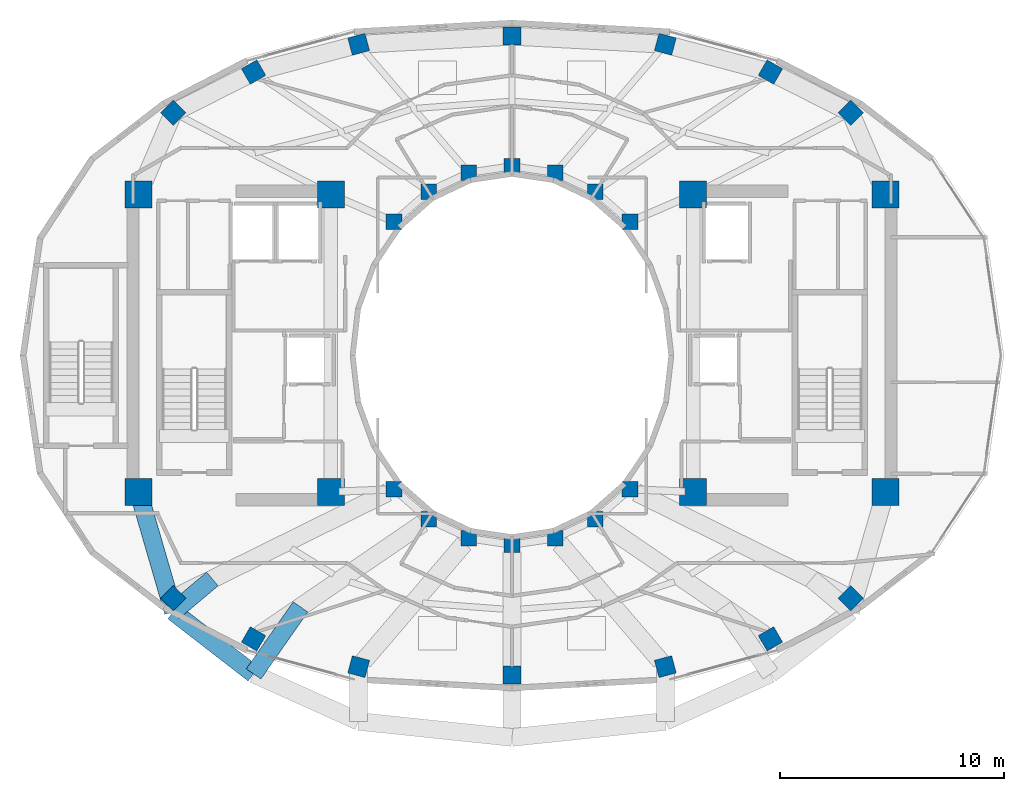
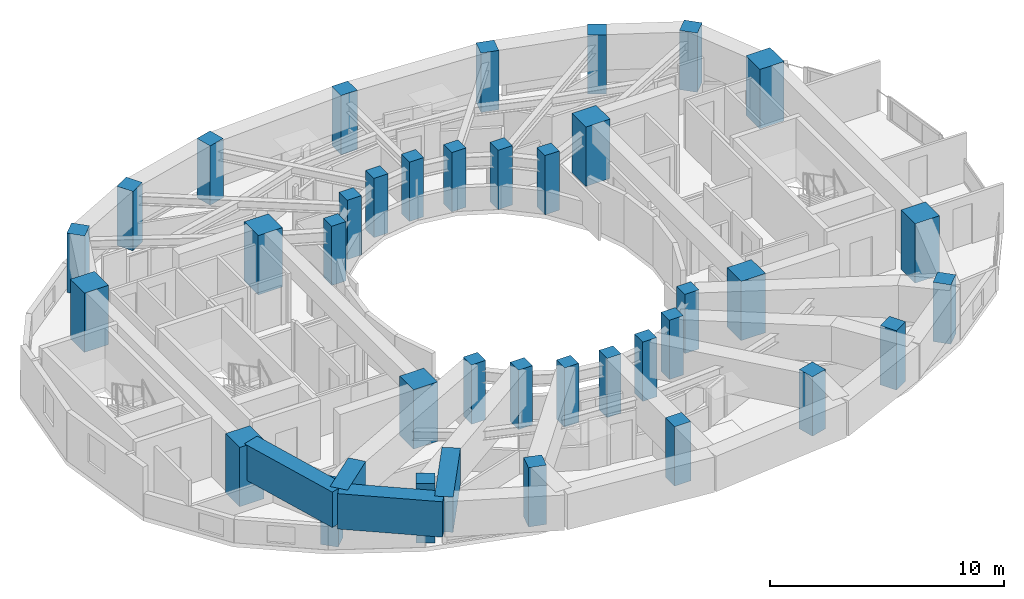
# One storey, part 1 of 19: 36 columns, 4 beams.
"""IFC4 building model written with IfcOpenShell, lengths in metres."""

from ifc_helpers import new_model, si_unit, direction, frame, origin, origin_2d, place, context, subcontext, project, spatial, rectangle, extrude, material, material_profile, profile_set, type_object, element, save


model = new_model("IFC4")

# Units and contexts
model_context = context("Model", 3, precision=1e-05, world=origin(), true_north=direction((0.0, 1.0)))
body_context = subcontext(model_context, "Body", "Model", "MODEL_VIEW")
ifc_project = project(units=[si_unit("LENGTHUNIT", "METRE"), si_unit("AREAUNIT", "SQUARE_METRE"), si_unit("VOLUMEUNIT", "CUBIC_METRE"), si_unit("PLANEANGLEUNIT", "RADIAN"), si_unit("MASSUNIT", "GRAM", prefix="KILO")], contexts=[model_context])

# Site, building, storey
site_placement = place(None, origin())
site = spatial("IfcSite", under=ifc_project, at=site_placement, CompositionType="ELEMENT")
building_placement = place(site_placement, origin())
building = spatial("IfcBuilding", under=site, at=building_placement, Name="Solvane Sanctuary Tower", CompositionType="ELEMENT")
storey_placement = place(building_placement, frame((0.0, 0.0, 207.800048828125)))
storey = spatial("IfcBuildingStorey", under=building, at=storey_placement, Name="L63", CompositionType="ELEMENT", Elevation=207.800048828125)

# Columns
ifc_material_1 = material(Name="Concrete C50/60", Category="concrete")
ifc_material_profile_1 = material_profile(ifc_material_1, rectangle(XDim=0.699951171875, YDim=0.699951171875, at=origin_2d()), Name="RC700X700")
ifc_profile_set_1 = profile_set([ifc_material_profile_1], Name="Concrete C50/60")
column_type_1 = type_object("IfcColumnType", Name="Column C-RING-Z4 RC700X700", PredefinedType="COLUMN", material=ifc_profile_set_1)
for number, where, z_axis, x_axis, name in (
    (1, (37.27490234375, 28.982177734375, 0.0), (0.0, 0.0, 1.0), (1.0, 0.0, 0.0), "L63 Inner Light-Well Ring Column IC01"),
    (2, (35.72998046875, 30.32666015625, 0.0), (0.0, 0.0, 1.0), (1.0, 0.0, 0.0), "L63 Inner Light-Well Ring Column IC02"),
    (3, (33.930908203125, 31.171630859375, 0.0), (0.0, 0.0, 1.0), (1.0, 0.0, 0.0), "L63 Inner Light-Well Ring Column IC03"),
    (4, (32.0, 31.4599609375, 0.0), (0.0, 0.0, 1.0), (1.0, 0.0, 0.0), "L63 Inner Light-Well Ring Column IC04"),
    (5, (30.069091796875, 31.171630859375, 0.0), (0.0, 0.0, 1.0), (1.0, 0.0, 0.0), "L63 Inner Light-Well Ring Column IC05"),
    (6, (28.27001953125, 30.32666015625, 0.0), (0.0, 0.0, 1.0), (1.0, 0.0, 0.0), "L63 Inner Light-Well Ring Column IC06"),
    (7, (26.72509765625, 28.982177734375, 0.0), (0.0, 0.0, 1.0), (1.0, 0.0, 0.0), "L63 Inner Light-Well Ring Column IC07"),
    (8, (26.72509765625, 17.017822265625, 0.0), (0.0, 0.0, 1.0), (1.0, 0.0, 0.0), "L63 Inner Light-Well Ring Column IC08"),
    (9, (28.27001953125, 15.67333984375, 0.0), (0.0, 0.0, 1.0), (1.0, 0.0, 0.0), "L63 Inner Light-Well Ring Column IC09"),
    (10, (30.069091796875, 14.828369140625, 0.0), (0.0, 0.0, 1.0), (1.0, 0.0, 0.0), "L63 Inner Light-Well Ring Column IC10"),
    (11, (32.0, 14.5400390625, 0.0), (0.0, 0.0, 1.0), (1.0, 0.0, 0.0), "L63 Inner Light-Well Ring Column IC11"),
    (12, (33.930908203125, 14.828369140625, 0.0), (0.0, 0.0, 1.0), (1.0, 0.0, 0.0), "L63 Inner Light-Well Ring Column IC12"),
    (13, (35.72998046875, 15.67333984375, 0.0), (0.0, 0.0, 1.0), (1.0, 0.0, 0.0), "L63 Inner Light-Well Ring Column IC13"),
    (14, (37.27490234375, 17.017822265625, 0.0), (0.0, 0.0, 1.0), (1.0, 0.0, 0.0), "L63 Inner Light-Well Ring Column IC14"),
):
    element("IfcColumn", number, at=place(storey_placement, frame(where, z_axis=z_axis, x_axis=x_axis)), inside=storey, type_object=column_type_1, Name=name, PredefinedType="COLUMN", context=body_context, shape_type="SweptSolid", body=[
        extrude(rectangle(XDim=0.699951171875, YDim=0.699951171875, at=origin_2d()), origin(), (0.0, 0.0, 1.0), 3.099853515625),
    ])
ifc_material_2 = material(Name="Concrete C70/85", Category="concrete")
ifc_material_profile_2 = material_profile(ifc_material_2, rectangle(XDim=1.199951171875, YDim=1.199951171875, at=origin_2d()), Name="RC1200X1200")
ifc_profile_set_2 = profile_set([ifc_material_profile_2], Name="Concrete C70/85")
column_type_2 = type_object("IfcColumnType", Name="Column C-TUBE-Z1 RC1200X1200", PredefinedType="COLUMN", material=ifc_profile_set_2)
for number, where, z_axis, x_axis, name in (
    (15, (15.300048828125, 16.89990234375, 0.0), (0.0, 0.0, 1.0), (1.0, 0.0, 0.0), "L63 Core Corner Column CW1"),
    (16, (23.89990234375, 16.89990234375, 0.0), (0.0, 0.0, 1.0), (1.0, 0.0, 0.0), "L63 Core Corner Column CW2"),
    (17, (23.89990234375, 30.199951171875, 0.0), (0.0, 0.0, 1.0), (1.0, 0.0, 0.0), "L63 Core Corner Column CW3"),
    (18, (15.300048828125, 30.199951171875, 0.0), (0.0, 0.0, 1.0), (1.0, 0.0, 0.0), "L63 Core Corner Column CW4"),
    (19, (40.10009765625, 16.89990234375, 0.0), (0.0, 0.0, 1.0), (1.0, 0.0, 0.0), "L63 Core Corner Column CE1"),
    (20, (48.699951171875, 16.89990234375, 0.0), (0.0, 0.0, 1.0), (1.0, 0.0, 0.0), "L63 Core Corner Column CE2"),
    (21, (48.699951171875, 30.199951171875, 0.0), (0.0, 0.0, 1.0), (1.0, 0.0, 0.0), "L63 Core Corner Column CE3"),
    (22, (40.10009765625, 30.199951171875, 0.0), (0.0, 0.0, 1.0), (1.0, 0.0, 0.0), "L63 Core Corner Column CE4"),
):
    element("IfcColumn", number, at=place(storey_placement, frame(where, z_axis=z_axis, x_axis=x_axis)), inside=storey, type_object=column_type_2, Name=name, PredefinedType="COLUMN", context=body_context, shape_type="SweptSolid", body=[
        extrude(rectangle(XDim=1.199951171875, YDim=1.199951171875, at=origin_2d()), origin(), (0.0, 0.0, 1.0), 3.099853515625),
    ])
ifc_material_profile_3 = material_profile(ifc_material_1, rectangle(XDim=0.800048828125, YDim=0.800048828125, at=origin_2d()), Name="RC800X800")
ifc_profile_set_3 = profile_set([ifc_material_profile_3], Name="Concrete C50/60")
column_type_3 = type_object("IfcColumnType", Name="Column C-TUBE-Z4 RC800X800", PredefinedType="COLUMN", material=ifc_profile_set_3)
for number, where, z_axis, x_axis, name in (
    (23, (47.14501953125, 33.85693359375, 0.0), (0.0, 0.0, 1.0), (0.707106781187, 0.707106781187, 0.0), "L63 Perimeter Tube Column TC01"),
    (24, (43.55517578125, 35.672607421875, 0.0), (0.0, 0.0, 1.0), (0.5, 0.866025403784, 0.0), "L63 Perimeter Tube Column TC02"),
    (25, (38.856201171875, 36.914306640625, 0.0), (0.0, 0.0, 1.0), (0.258819045103, 0.965925826289, 0.0), "L63 Perimeter Tube Column TC03"),
    (26, (32.0, 37.280029296875, 0.0), (0.0, 0.0, 1.0), (0.0, 1.0, 0.0), "L63 Perimeter Tube Column TC04"),
    (27, (25.143798828125, 36.914306640625, 0.0), (0.0, 0.0, 1.0), (-0.258819045103, 0.965925826289, 0.0), "L63 Perimeter Tube Column TC05"),
    (28, (20.44482421875, 35.672607421875, 0.0), (0.0, 0.0, 1.0), (-0.5, 0.866025403784, 0.0), "L63 Perimeter Tube Column TC06"),
    (29, (16.85498046875, 33.85693359375, 0.0), (0.0, 0.0, 1.0), (-0.707106781187, 0.707106781187, 0.0), "L63 Perimeter Tube Column TC07"),
    (30, (16.85498046875, 12.14306640625, 0.0), (0.0, 0.0, 1.0), (-0.707106781187, -0.707106781187, 0.0), "L63 Perimeter Tube Column TC08"),
    (31, (20.44482421875, 10.327392578125, 0.0), (0.0, 0.0, 1.0), (-0.5, -0.866025403784, 0.0), "L63 Perimeter Tube Column TC09"),
    (32, (25.143798828125, 9.085693359375, 0.0), (0.0, 0.0, 1.0), (-0.258819045103, -0.965925826289, 0.0), "L63 Perimeter Tube Column TC10"),
    (33, (32.0, 8.719970703125, 0.0), (0.0, 0.0, 1.0), (0.0, -1.0, 0.0), "L63 Perimeter Tube Column TC11"),
    (34, (38.856201171875, 9.085693359375, 0.0), (0.0, 0.0, 1.0), (0.258819045103, -0.965925826289, 0.0), "L63 Perimeter Tube Column TC12"),
    (35, (43.55517578125, 10.327392578125, 0.0), (0.0, 0.0, 1.0), (0.5, -0.866025403784, 0.0), "L63 Perimeter Tube Column TC13"),
    (36, (47.14501953125, 12.14306640625, 0.0), (0.0, 0.0, 1.0), (0.707106781187, -0.707106781187, 0.0), "L63 Perimeter Tube Column TC14"),
):
    element("IfcColumn", number, at=place(storey_placement, frame(where, z_axis=z_axis, x_axis=x_axis)), inside=storey, type_object=column_type_3, Name=name, PredefinedType="COLUMN", context=body_context, shape_type="SweptSolid", body=[
        extrude(rectangle(XDim=0.800048828125, YDim=0.800048828125, at=origin_2d()), origin(), (0.0, 0.0, 1.0), 3.099853515625),
    ])

# Beams
ifc_material_profile_4 = material_profile(ifc_material_2, rectangle(XDim=0.800048828125, YDim=1.85009765625, at=origin_2d()), Name="RC800X1850")
ifc_profile_set_4 = profile_set([ifc_material_profile_4], Name="Concrete C70/85")
beam_type = type_object("IfcBeamType", Name="Beam B-XFER-BLK RC800X1850", PredefinedType="BEAM", material=ifc_profile_set_4)
beam_1_placement = place(storey_placement, frame((18.603515625, 13.006591796875, 2.175048828125), z_axis=(-0.765814389122, -0.643061677768, 0.0), x_axis=(0.643061677768, -0.765814389122, 0.0)))
element("IfcBeam", 37, at=beam_1_placement, inside=storey, type_object=beam_type, Name="L63 Block-Shift Transfer Tie 08B", PredefinedType="BEAM", context=body_context, shape_type="SweptSolid", body=[
    extrude(rectangle(XDim=0.800048828125, YDim=1.85009765625, at=origin_2d()), origin(), (0.0, 0.0, 1.0), 2.283203125),
])
beam_2_placement = place(storey_placement, frame((22.543212890625, 11.760986328125, 2.175048828125), z_axis=(-0.572853840349, -0.819657536778, 0.0), x_axis=(0.819657536778, -0.572853840349, 0.0)))
element("IfcBeam", 38, at=beam_2_placement, inside=storey, type_object=beam_type, Name="L63 Block-Shift Transfer Tie 09B", PredefinedType="BEAM", context=body_context, shape_type="SweptSolid", body=[
    extrude(rectangle(XDim=0.800048828125, YDim=1.85009765625, at=origin_2d()), origin(), (0.0, 0.0, 1.0), 3.6630859375),
])
beam_3_placement = place(storey_placement, frame((15.400390625, 16.55419921875, 2.175048828125), z_axis=(0.278522294189, -0.960429764033, 0.0), x_axis=(0.960429764033, 0.278522294189, 0.0)))
element("IfcBeam", 39, at=beam_3_placement, inside=storey, type_object=beam_type, Name="L63 Perimeter Step Transfer Ring CW1-NTC08", PredefinedType="BEAM", context=body_context, shape_type="SweptSolid", body=[
    extrude(rectangle(XDim=0.800048828125, YDim=1.85009765625, at=origin_2d()), origin(), (0.0, 0.0, 1.0), 5.222412109375),
])
beam_4_placement = place(storey_placement, frame((16.85498046875, 11.538330078125, 2.175048828125), z_axis=(0.790664929002, -0.612249107836, 0.0), x_axis=(0.612249107836, 0.790664929002, 0.0)))
element("IfcBeam", 40, at=beam_4_placement, inside=storey, type_object=beam_type, Name="L63 Perimeter Step Transfer Ring NTC08-NTC09", PredefinedType="BEAM", context=body_context, shape_type="SweptSolid", body=[
    extrude(rectangle(XDim=0.800048828125, YDim=1.85009765625, at=origin_2d()), origin(), (0.0, 0.0, 1.0), 4.540283203125),
])

save(model, "model.ifc")
